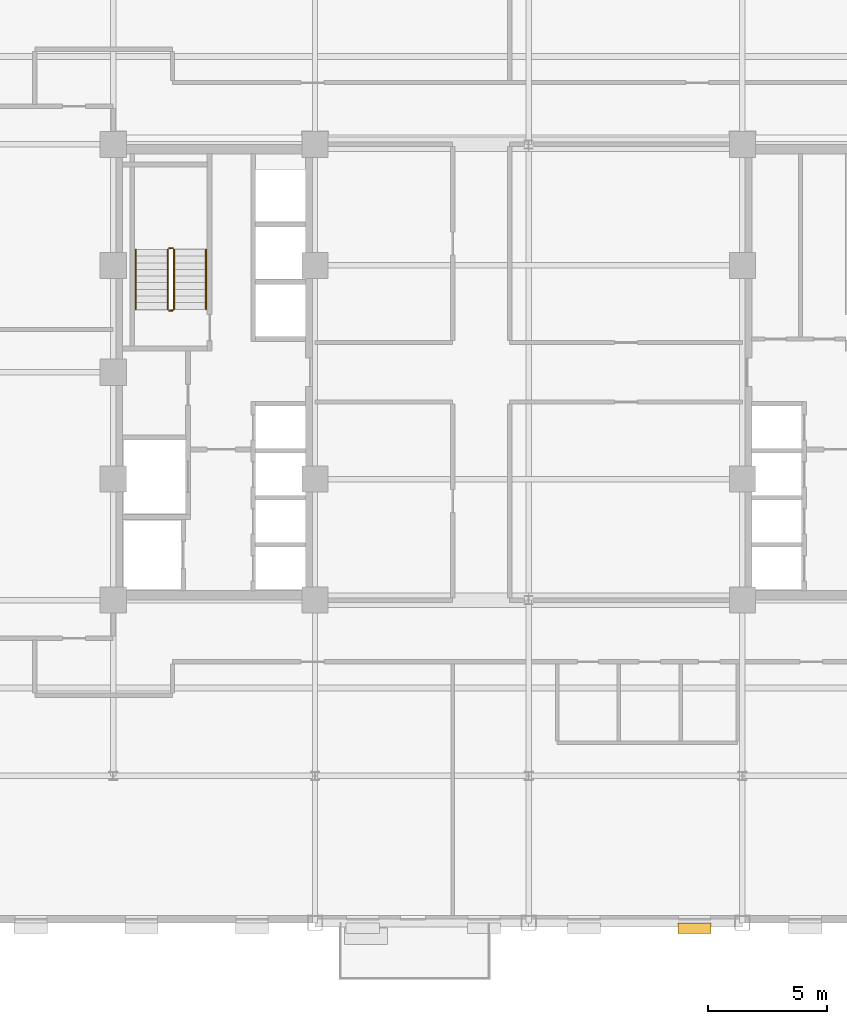
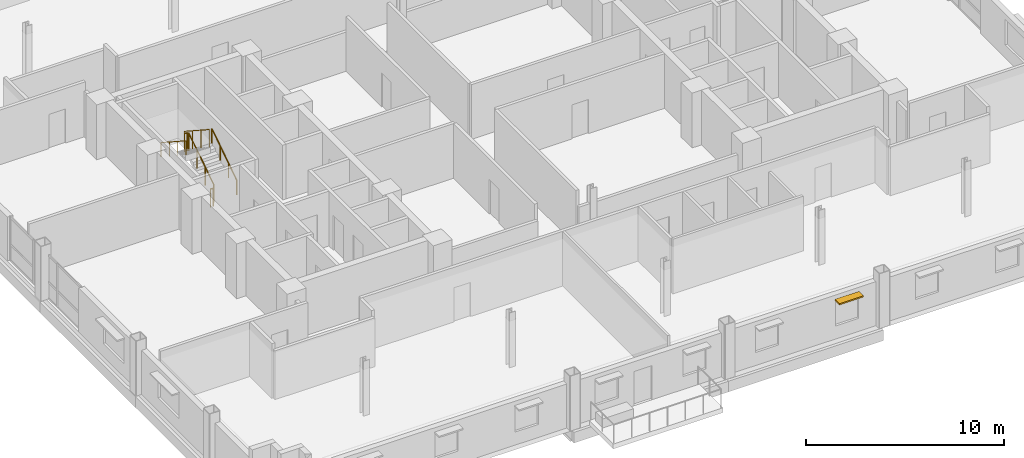
# One storey, part 14 of 17: 6 railings, 1 shading device.
"""IFC4 building model written with IfcOpenShell, lengths in metres."""

from ifc_helpers import new_model, si_unit, direction, frame, origin, origin_2d, place, context, subcontext, project, spatial, rectangle, circle, extrude, source, transform, mapped, material, type_object, type_shapes, element, save


model = new_model("IFC4")

# Units and contexts
model_context = context("Model", 3, precision=1e-05, world=origin(), true_north=direction((0.0, 1.0)))
body_context = subcontext(model_context, "Body", "Model", "MODEL_VIEW")
ifc_project = project(units=[si_unit("LENGTHUNIT", "METRE"), si_unit("AREAUNIT", "SQUARE_METRE"), si_unit("VOLUMEUNIT", "CUBIC_METRE"), si_unit("PLANEANGLEUNIT", "RADIAN"), si_unit("MASSUNIT", "GRAM", prefix="KILO")], contexts=[model_context])

# Site, building, storey
site_placement = place(None, origin())
site = spatial("IfcSite", under=ifc_project, at=site_placement, CompositionType="ELEMENT")
building_placement = place(site_placement, origin())
building = spatial("IfcBuilding", under=site, at=building_placement, Name="Nuvemarco Arch Tower", CompositionType="ELEMENT")
storey_placement = place(building_placement, frame((0.0, 0.0, 120.199951171875)))
storey = spatial("IfcBuildingStorey", under=building, at=storey_placement, Name="L31", CompositionType="ELEMENT", Elevation=120.199951171875)

# Railings
ifc_material_1 = material(Name="Brushed stainless steel handrail", Category="steel")
railing_type_1 = type_object("IfcRailingType", Name="RL-HANDRAIL-900", PredefinedType="HANDRAIL", material=ifc_material_1)
railing_1_placement = place(storey_placement, frame((-13.590087890625, 2.64990234375, 0.1826171875)))
element("IfcRailing", 1, at=railing_1_placement, inside=storey, type_object=railing_type_1, Name="L31 ST-1 stair handrail 1", PredefinedType="HANDRAIL", context=body_context, shape_type="SweptSolid", body=[
    extrude(circle(Radius=0.02392578125, at=origin_2d()), frame((0.0, 0.0, 0.8759765625), z_axis=(0.0, 0.837786554691, 0.545997883492), x_axis=(-1.0, 0.0, 0.0)), (0.0, 0.0, 1.0), 3.008056640625),
    extrude(circle(Radius=0.02099609375, at=origin_2d()), origin(), (0.0, 0.0, 1.0), 0.851806640625),
    extrude(circle(Radius=0.02099609375, at=origin_2d()), frame((0.0, 0.840087890625, 0.54736328125)), (0.0, 0.0, 1.0), 0.851806640625),
    extrude(circle(Radius=0.02099609375, at=origin_2d()), frame((0.0, 1.679931640625, 1.094970703125)), (0.0, 0.0, 1.0), 0.851806640625),
    extrude(circle(Radius=0.02099609375, at=origin_2d()), frame((0.0, 2.52001953125, 1.642333984375)), (0.0, 0.0, 1.0), 0.851806640625),
])
railing_2_placement = place(storey_placement, frame((-16.550048828125, 5.169921875, 2.007568359375)))
element("IfcRailing", 2, at=railing_2_placement, inside=storey, type_object=railing_type_1, Name="L31 ST-1 stair handrail 2", PredefinedType="HANDRAIL", context=body_context, shape_type="SweptSolid", body=[
    extrude(circle(Radius=0.02392578125, at=origin_2d()), frame((0.0, 0.0, 0.8759765625), z_axis=(0.0, -0.837749427056, 0.546054848405), x_axis=(1.0, 0.0, 0.0)), (0.0, 0.0, 1.0), 3.008056640625),
    extrude(circle(Radius=0.02099609375, at=origin_2d()), origin(), (0.0, 0.0, 1.0), 0.851806640625),
    extrude(circle(Radius=0.02099609375, at=origin_2d()), frame((0.0, -0.840087890625, 0.547607421875)), (0.0, 0.0, 1.0), 0.851806640625),
    extrude(circle(Radius=0.02099609375, at=origin_2d()), frame((0.0, -1.679931640625, 1.094970703125)), (0.0, 0.0, 1.0), 0.851806640625),
    extrude(circle(Radius=0.02099609375, at=origin_2d()), frame((0.0, -2.52001953125, 1.642578125)), (0.0, 0.0, 1.0), 0.851806640625),
])
ifc_material_2 = material(Name="Painted balustrade steel S355", Category="steel")
railing_type_2 = type_object("IfcRailingType", Name="RL-STAIR-GUARD", PredefinedType="GUARDRAIL", material=ifc_material_2)
railing_3_placement = place(storey_placement, frame((-14.93994140625, 2.64990234375, 0.1826171875)))
element("IfcRailing", 3, at=railing_3_placement, inside=storey, type_object=railing_type_2, Name="L31 ST-1 stair guard 1", PredefinedType="GUARDRAIL", context=body_context, shape_type="SweptSolid", body=[
    extrude(circle(Radius=0.02392578125, at=origin_2d()), frame((0.0, 0.0, 1.09619140625), z_axis=(0.0, 0.837786554691, 0.545997883492), x_axis=(-1.0, 0.0, 0.0)), (0.0, 0.0, 1.0), 3.008056640625),
    extrude(circle(Radius=0.02099609375, at=origin_2d()), origin(), (0.0, 0.0, 1.0), 1.072021484375),
    extrude(circle(Radius=0.02099609375, at=origin_2d()), frame((0.0, 0.840087890625, 0.54736328125)), (0.0, 0.0, 1.0), 1.072021484375),
    extrude(circle(Radius=0.02099609375, at=origin_2d()), frame((0.0, 1.679931640625, 1.094970703125)), (0.0, 0.0, 1.0), 1.072021484375),
    extrude(circle(Radius=0.02099609375, at=origin_2d()), frame((0.0, 2.52001953125, 1.642333984375)), (0.0, 0.0, 1.0), 1.072021484375),
])
railing_4_placement = place(storey_placement, frame((-14.989990234375, 5.219970703125, 1.824951171875)))
element("IfcRailing", 4, at=railing_4_placement, inside=storey, type_object=railing_type_2, Name="L31 ST-1 stair guard 2", PredefinedType="GUARDRAIL", context=body_context, shape_type="SweptSolid", body=[
    extrude(circle(Radius=0.02392578125, at=origin_2d()), frame((0.0, 0.0, 1.09619140625), z_axis=(-1.0, 0.0, 0.0), x_axis=(0.0, -1.0, 0.0)), (0.0, 0.0, 1.0), 0.159912109375),
    extrude(circle(Radius=0.02099609375, at=origin_2d()), origin(), (0.0, 0.0, 1.0), 1.072021484375),
    extrude(circle(Radius=0.02099609375, at=origin_2d()), frame((-0.159912109375, 0.0, 0.0)), (0.0, 0.0, 1.0), 1.072021484375),
])
railing_5_placement = place(storey_placement, frame((-15.199951171875, 5.169921875, 2.007568359375)))
element("IfcRailing", 5, at=railing_5_placement, inside=storey, type_object=railing_type_2, Name="L31 ST-1 stair guard 3", PredefinedType="GUARDRAIL", context=body_context, shape_type="SweptSolid", body=[
    extrude(circle(Radius=0.02392578125, at=origin_2d()), frame((0.0, 0.0, 1.09619140625), z_axis=(0.0, -0.837749427056, 0.546054848405), x_axis=(1.0, 0.0, 0.0)), (0.0, 0.0, 1.0), 3.008056640625),
    extrude(circle(Radius=0.02099609375, at=origin_2d()), origin(), (0.0, 0.0, 1.0), 1.072021484375),
    extrude(circle(Radius=0.02099609375, at=origin_2d()), frame((0.0, -0.840087890625, 0.547607421875)), (0.0, 0.0, 1.0), 1.072021484375),
    extrude(circle(Radius=0.02099609375, at=origin_2d()), frame((0.0, -1.679931640625, 1.094970703125)), (0.0, 0.0, 1.0), 1.072021484375),
    extrude(circle(Radius=0.02099609375, at=origin_2d()), frame((0.0, -2.52001953125, 1.642578125)), (0.0, 0.0, 1.0), 1.072021484375),
])
railing_6_placement = place(storey_placement, frame((-14.989990234375, 2.60009765625, 0.0)))
element("IfcRailing", 6, at=railing_6_placement, inside=storey, type_object=railing_type_2, Name="L31 ST-1 stair guard 4", PredefinedType="GUARDRAIL", context=body_context, shape_type="SweptSolid", body=[
    extrude(circle(Radius=0.02392578125, at=origin_2d()), frame((0.0, 0.0, 1.09619140625), z_axis=(-1.0, 0.0, 0.0), x_axis=(0.0, -1.0, 0.0)), (0.0, 0.0, 1.0), 0.159912109375),
    extrude(circle(Radius=0.02099609375, at=origin_2d()), origin(), (0.0, 0.0, 1.0), 1.072021484375),
    extrude(circle(Radius=0.02099609375, at=origin_2d()), frame((-0.159912109375, 0.0, 0.0)), (0.0, 0.0, 1.0), 1.072021484375),
])

# Shading device
ifc_material_3 = material(Name="Anodised aluminium 6063-T6", Category="aluminium")
shading_device_type = type_object("IfcShadingDeviceType", Name="SHD-BRISE-NARROW", PredefinedType="USERDEFINED", material=ifc_material_3)
shared_shape = source(origin(), body_context, "Body", "SweptSolid", [
    extrude(rectangle(XDim=1.39990234375, YDim=0.449951171875, at=origin_2d()), origin(), (0.0, 0.0, 1.0), 0.080078125),
])
type_shapes(shading_device_type, [shared_shape])
shading_device_placement = place(storey_placement, frame((6.989990234375, -23.4150390625, 2.364990234375), z_axis=(0.0, 0.0, 1.0), x_axis=(1.0, 0.0, 0.0)))
element("IfcShadingDevice", 7, at=shading_device_placement, inside=storey, type_object=shading_device_type, Name="L31 horizontal brise-soleil sunshade", ObjectType="SUNSHADE", PredefinedType="USERDEFINED", context=body_context, shape_type="MappedRepresentation", body=[
    mapped(shared_shape, transform((0.0, 0.0, 0.0), scale=1.0)),
])

save(model, "model.ifc")
